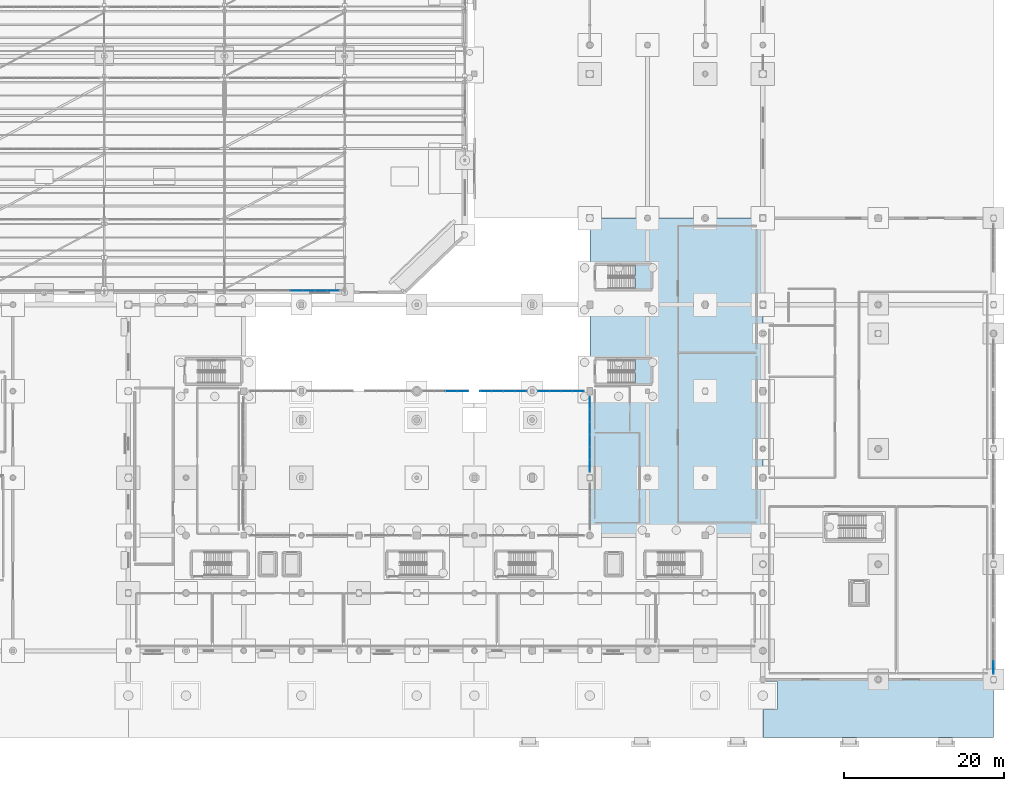
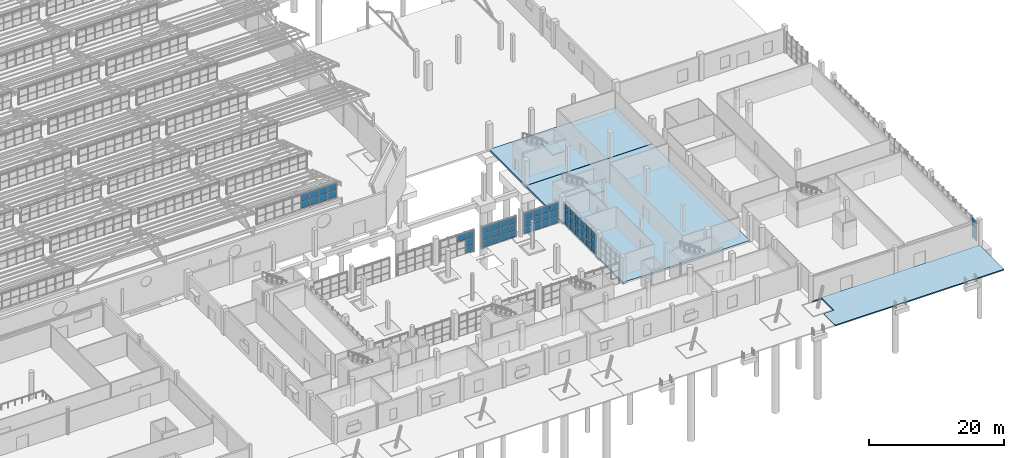
# One storey, part 183 of 285: 57 plates, 5 slabs, 8 elements without a shape of their own.
"""IFC4 building model written with IfcOpenShell, lengths in metres."""

from ifc_helpers import new_model, si_unit, direction, frame, origin, origin_2d, place, context, subcontext, project, spatial, polyline, rectangle, outline, extrude, material, layer, layer_set, type_object, element, aggregate, save


model = new_model("IFC4")

# Units and contexts
model_context = context("Model", 3, precision=1e-05, world=origin(), true_north=direction((0.0, 1.0)))
body_context = subcontext(model_context, "Body", "Model", "MODEL_VIEW")
ifc_project = project(units=[si_unit("LENGTHUNIT", "METRE"), si_unit("AREAUNIT", "SQUARE_METRE"), si_unit("VOLUMEUNIT", "CUBIC_METRE"), si_unit("PLANEANGLEUNIT", "RADIAN"), si_unit("MASSUNIT", "GRAM", prefix="KILO")], contexts=[model_context])

# Site, building, storey
site_placement = place(None, origin())
site = spatial("IfcSite", under=ifc_project, at=site_placement, CompositionType="ELEMENT")
building_placement = place(site_placement, origin())
building = spatial("IfcBuilding", under=site, at=building_placement, Name="Solanera Park Tramway Depot", CompositionType="ELEMENT")
storey_placement = place(building_placement, origin())
storey = spatial("IfcBuildingStorey", under=building, at=storey_placement, Name="L00", CompositionType="ELEMENT", Elevation=0.0)

# Curtain wall, plates
ifc_material_1 = material(Name="Bronze-anodised thermally broken aluminium curtain wall", Category="aluminium")
curtain_wall_type_1 = type_object("IfcCurtainWallType", Name="Sawtooth Clerestory Monitor Curtain Wall", PredefinedType="NOTDEFINED", material=ifc_material_1)
curtain_wall_1_placement = place(storey_placement, origin())
curtain_wall_1 = element("IfcCurtainWall", 1, at=curtain_wall_1_placement, inside=storey, type_object=curtain_wall_type_1, Name="L00 Sawtooth Clerestory Monitor Curtain Wall #003", PredefinedType="NOTDEFINED")
ifc_material_2 = material(Name="Low-E laminated solar-control double glazing", Category="glass")
ifc_layer_1 = layer(ifc_material_2, 0.028076171875)
ifc_layer_set_1 = layer_set([ifc_layer_1], Name="Low-E laminated solar-control double glazing")
plate_type = type_object("IfcPlateType", Name="Curtain Wall Double Glazing Panel 28", PredefinedType="CURTAIN_PANEL", material=ifc_layer_set_1)
plate_1_placement = place(storey_placement, frame((129.022216796875, 55.75, 7.862060546875), z_axis=(0.0, 0.0, 1.0), x_axis=(1.0, 0.0, 0.0)))
plate_1 = element("IfcPlate", 2, at=plate_1_placement, type_object=plate_type, Name="CW-L00-003 Glazing Panel R1.C6", PredefinedType="CURTAIN_PANEL", context=body_context, shape_type="SweptSolid", body=[
    extrude(rectangle(XDim=1.47021484375, YDim=0.028076171875, at=origin_2d()), origin(), (0.0, 0.0, 1.0), 1.16650390625),
])
plate_2_placement = place(storey_placement, frame((130.54443359375, 55.75, 7.862060546875), z_axis=(0.0, 0.0, 1.0), x_axis=(1.0, 0.0, 0.0)))
plate_2 = element("IfcPlate", 3, at=plate_2_placement, type_object=plate_type, Name="CW-L00-003 Glazing Panel R1.C7", PredefinedType="CURTAIN_PANEL", context=body_context, shape_type="SweptSolid", body=[
    extrude(rectangle(XDim=1.47021484375, YDim=0.028076171875, at=origin_2d()), origin(), (0.0, 0.0, 1.0), 1.16650390625),
])
plate_3_placement = place(storey_placement, frame((132.066650390625, 55.75, 7.862060546875), z_axis=(0.0, 0.0, 1.0), x_axis=(1.0, 0.0, 0.0)))
plate_3 = element("IfcPlate", 4, at=plate_3_placement, type_object=plate_type, Name="CW-L00-003 Glazing Panel R1.C8", PredefinedType="CURTAIN_PANEL", context=body_context, shape_type="SweptSolid", body=[
    extrude(rectangle(XDim=1.47021484375, YDim=0.028076171875, at=origin_2d()), origin(), (0.0, 0.0, 1.0), 1.16650390625),
])
plate_4_placement = place(storey_placement, frame((133.572509765625, 55.75, 7.862060546875), z_axis=(0.0, 0.0, 1.0), x_axis=(1.0, 0.0, 0.0)))
plate_4 = element("IfcPlate", 5, at=plate_4_placement, type_object=plate_type, Name="CW-L00-003 Glazing Panel R1.C9", PredefinedType="CURTAIN_PANEL", context=body_context, shape_type="SweptSolid", body=[
    extrude(rectangle(XDim=1.437744140625, YDim=0.028076171875, at=origin_2d()), origin(), (0.0, 0.0, 1.0), 1.16650390625),
])
plate_5_placement = place(storey_placement, frame((129.022216796875, 55.75, 9.132568359375), z_axis=(0.0, 0.0, 1.0), x_axis=(1.0, 0.0, 0.0)))
plate_5 = element("IfcPlate", 6, at=plate_5_placement, type_object=plate_type, Name="CW-L00-003 Glazing Panel R2.C6", PredefinedType="CURTAIN_PANEL", context=body_context, shape_type="SweptSolid", body=[
    extrude(rectangle(XDim=1.47021484375, YDim=0.028076171875, at=origin_2d()), origin(), (0.0, 0.0, 1.0), 1.16650390625),
])
plate_6_placement = place(storey_placement, frame((130.54443359375, 55.75, 9.132568359375), z_axis=(0.0, 0.0, 1.0), x_axis=(1.0, 0.0, 0.0)))
plate_6 = element("IfcPlate", 7, at=plate_6_placement, type_object=plate_type, Name="CW-L00-003 Glazing Panel R2.C7", PredefinedType="CURTAIN_PANEL", context=body_context, shape_type="SweptSolid", body=[
    extrude(rectangle(XDim=1.47021484375, YDim=0.028076171875, at=origin_2d()), origin(), (0.0, 0.0, 1.0), 1.16650390625),
])
plate_7_placement = place(storey_placement, frame((132.066650390625, 55.75, 9.132568359375), z_axis=(0.0, 0.0, 1.0), x_axis=(1.0, 0.0, 0.0)))
plate_7 = element("IfcPlate", 8, at=plate_7_placement, type_object=plate_type, Name="CW-L00-003 Glazing Panel R2.C8", PredefinedType="CURTAIN_PANEL", context=body_context, shape_type="SweptSolid", body=[
    extrude(rectangle(XDim=1.47021484375, YDim=0.028076171875, at=origin_2d()), origin(), (0.0, 0.0, 1.0), 1.16650390625),
])
plate_8_placement = place(storey_placement, frame((133.572509765625, 55.75, 9.132568359375), z_axis=(0.0, 0.0, 1.0), x_axis=(1.0, 0.0, 0.0)))
plate_8 = element("IfcPlate", 9, at=plate_8_placement, type_object=plate_type, Name="CW-L00-003 Glazing Panel R2.C9", PredefinedType="CURTAIN_PANEL", context=body_context, shape_type="SweptSolid", body=[
    extrude(rectangle(XDim=1.437744140625, YDim=0.028076171875, at=origin_2d()), origin(), (0.0, 0.0, 1.0), 1.16650390625),
])
aggregate(curtain_wall_1, [plate_1, plate_2, plate_3, plate_4, plate_5, plate_6, plate_7, plate_8])

ifc_material_3 = material(Name="Bronze-anodised thermally broken aluminium curtain wall", Category="aluminium")
curtain_wall_type_2 = type_object("IfcCurtainWallType", Name="Courtyard Cloister Unitised Curtain Wall", PredefinedType="NOTDEFINED", material=ifc_material_3)
curtain_wall_2_placement = place(storey_placement, origin())
curtain_wall_2 = element("IfcCurtainWall", 10, at=curtain_wall_2_placement, inside=storey, type_object=curtain_wall_type_2, Name="L00 Courtyard Cloister Unitised Curtain Wall #081", PredefinedType="NOTDEFINED")
plate_9_placement = place(storey_placement, frame((149.7587890625, 43.199951171875, 0.11181640625), z_axis=(0.0, 0.0, 1.0), x_axis=(-1.0, 0.0, 0.0)))
plate_9 = element("IfcPlate", 11, at=plate_9_placement, type_object=plate_type, Name="CW-L00-081 Glazing Panel R1.C1", PredefinedType="CURTAIN_PANEL", context=body_context, shape_type="SweptSolid", body=[
    extrude(rectangle(XDim=1.365478515625, YDim=0.028076171875, at=origin_2d()), origin(), (0.0, 0.0, 1.0), 1.119384765625),
])
plate_10_placement = place(storey_placement, frame((149.7587890625, 43.199951171875, 1.33544921875), z_axis=(0.0, 0.0, 1.0), x_axis=(-1.0, 0.0, 0.0)))
plate_10 = element("IfcPlate", 12, at=plate_10_placement, type_object=plate_type, Name="CW-L00-081 Glazing Panel R2.C1", PredefinedType="CURTAIN_PANEL", context=body_context, shape_type="SweptSolid", body=[
    extrude(rectangle(XDim=1.365478515625, YDim=0.028076171875, at=origin_2d()), origin(), (0.0, 0.0, 1.0), 1.179443359375),
])
plate_11_placement = place(storey_placement, frame((149.7587890625, 43.199951171875, 2.61865234375), z_axis=(0.0, 0.0, 1.0), x_axis=(-1.0, 0.0, 0.0)))
plate_11 = element("IfcPlate", 13, at=plate_11_placement, type_object=plate_type, Name="CW-L00-081 Glazing Panel R3.C1", PredefinedType="CURTAIN_PANEL", context=body_context, shape_type="SweptSolid", body=[
    extrude(rectangle(XDim=1.365478515625, YDim=0.028076171875, at=origin_2d()), origin(), (0.0, 0.0, 1.0), 1.119384765625),
])
plate_12_placement = place(storey_placement, frame((148.324951171875, 43.199951171875, 2.61865234375), z_axis=(0.0, 0.0, 1.0), x_axis=(-1.0, 0.0, 0.0)))
plate_12 = element("IfcPlate", 14, at=plate_12_placement, type_object=plate_type, Name="CW-L00-081 Glazing Panel R3.C2", PredefinedType="CURTAIN_PANEL", context=body_context, shape_type="SweptSolid", body=[
    extrude(rectangle(XDim=1.39794921875, YDim=0.028076171875, at=origin_2d()), origin(), (0.0, 0.0, 1.0), 1.119384765625),
])
aggregate(curtain_wall_2, [plate_9, plate_10, plate_11, plate_12])

curtain_wall_3_placement = place(storey_placement, origin())
curtain_wall_3 = element("IfcCurtainWall", 15, at=curtain_wall_3_placement, inside=storey, type_object=curtain_wall_type_2, Name="L00 Courtyard Cloister Unitised Curtain Wall #082", PredefinedType="NOTDEFINED")
plate_13_placement = place(storey_placement, frame((156.958740234375, 43.199951171875, 0.11181640625), z_axis=(0.0, 0.0, 1.0), x_axis=(-1.0, 0.0, 0.0)))
plate_13 = element("IfcPlate", 16, at=plate_13_placement, type_object=plate_type, Name="CW-L00-082 Glazing Panel R1.C1", PredefinedType="CURTAIN_PANEL", context=body_context, shape_type="SweptSolid", body=[
    extrude(rectangle(XDim=1.365478515625, YDim=0.028076171875, at=origin_2d()), origin(), (0.0, 0.0, 1.0), 1.119384765625),
])
plate_14_placement = place(storey_placement, frame((155.52490234375, 43.199951171875, 0.11181640625), z_axis=(0.0, 0.0, 1.0), x_axis=(-1.0, 0.0, 0.0)))
plate_14 = element("IfcPlate", 17, at=plate_14_placement, type_object=plate_type, Name="CW-L00-082 Glazing Panel R1.C2", PredefinedType="CURTAIN_PANEL", context=body_context, shape_type="SweptSolid", body=[
    extrude(rectangle(XDim=1.39794921875, YDim=0.028076171875, at=origin_2d()), origin(), (0.0, 0.0, 1.0), 1.119384765625),
])
plate_15_placement = place(storey_placement, frame((154.074951171875, 43.199951171875, 0.11181640625), z_axis=(0.0, 0.0, 1.0), x_axis=(-1.0, 0.0, 0.0)))
plate_15 = element("IfcPlate", 18, at=plate_15_placement, type_object=plate_type, Name="CW-L00-082 Glazing Panel R1.C3", PredefinedType="CURTAIN_PANEL", context=body_context, shape_type="SweptSolid", body=[
    extrude(rectangle(XDim=1.39794921875, YDim=0.028076171875, at=origin_2d()), origin(), (0.0, 0.0, 1.0), 1.119384765625),
])
plate_16_placement = place(storey_placement, frame((152.641357421875, 43.199951171875, 0.11181640625), z_axis=(0.0, 0.0, 1.0), x_axis=(-1.0, 0.0, 0.0)))
plate_16 = element("IfcPlate", 19, at=plate_16_placement, type_object=plate_type, Name="CW-L00-082 Glazing Panel R1.C4", PredefinedType="CURTAIN_PANEL", context=body_context, shape_type="SweptSolid", body=[
    extrude(rectangle(XDim=1.365478515625, YDim=0.028076171875, at=origin_2d()), origin(), (0.0, 0.0, 1.0), 1.119384765625),
])
plate_17_placement = place(storey_placement, frame((156.958740234375, 43.199951171875, 1.33544921875), z_axis=(0.0, 0.0, 1.0), x_axis=(-1.0, 0.0, 0.0)))
plate_17 = element("IfcPlate", 20, at=plate_17_placement, type_object=plate_type, Name="CW-L00-082 Glazing Panel R2.C1", PredefinedType="CURTAIN_PANEL", context=body_context, shape_type="SweptSolid", body=[
    extrude(rectangle(XDim=1.365478515625, YDim=0.028076171875, at=origin_2d()), origin(), (0.0, 0.0, 1.0), 1.179443359375),
])
plate_18_placement = place(storey_placement, frame((155.52490234375, 43.199951171875, 1.33544921875), z_axis=(0.0, 0.0, 1.0), x_axis=(-1.0, 0.0, 0.0)))
plate_18 = element("IfcPlate", 21, at=plate_18_placement, type_object=plate_type, Name="CW-L00-082 Glazing Panel R2.C2", PredefinedType="CURTAIN_PANEL", context=body_context, shape_type="SweptSolid", body=[
    extrude(rectangle(XDim=1.39794921875, YDim=0.028076171875, at=origin_2d()), origin(), (0.0, 0.0, 1.0), 1.179443359375),
])
plate_19_placement = place(storey_placement, frame((154.074951171875, 43.199951171875, 1.33544921875), z_axis=(0.0, 0.0, 1.0), x_axis=(-1.0, 0.0, 0.0)))
plate_19 = element("IfcPlate", 22, at=plate_19_placement, type_object=plate_type, Name="CW-L00-082 Glazing Panel R2.C3", PredefinedType="CURTAIN_PANEL", context=body_context, shape_type="SweptSolid", body=[
    extrude(rectangle(XDim=1.39794921875, YDim=0.028076171875, at=origin_2d()), origin(), (0.0, 0.0, 1.0), 1.179443359375),
])
plate_20_placement = place(storey_placement, frame((152.641357421875, 43.199951171875, 1.33544921875), z_axis=(0.0, 0.0, 1.0), x_axis=(-1.0, 0.0, 0.0)))
plate_20 = element("IfcPlate", 23, at=plate_20_placement, type_object=plate_type, Name="CW-L00-082 Glazing Panel R2.C4", PredefinedType="CURTAIN_PANEL", context=body_context, shape_type="SweptSolid", body=[
    extrude(rectangle(XDim=1.365478515625, YDim=0.028076171875, at=origin_2d()), origin(), (0.0, 0.0, 1.0), 1.179443359375),
])
plate_21_placement = place(storey_placement, frame((156.958740234375, 43.199951171875, 2.61865234375), z_axis=(0.0, 0.0, 1.0), x_axis=(-1.0, 0.0, 0.0)))
plate_21 = element("IfcPlate", 24, at=plate_21_placement, type_object=plate_type, Name="CW-L00-082 Glazing Panel R3.C1", PredefinedType="CURTAIN_PANEL", context=body_context, shape_type="SweptSolid", body=[
    extrude(rectangle(XDim=1.365478515625, YDim=0.028076171875, at=origin_2d()), origin(), (0.0, 0.0, 1.0), 1.119384765625),
])
plate_22_placement = place(storey_placement, frame((155.52490234375, 43.199951171875, 2.61865234375), z_axis=(0.0, 0.0, 1.0), x_axis=(-1.0, 0.0, 0.0)))
plate_22 = element("IfcPlate", 25, at=plate_22_placement, type_object=plate_type, Name="CW-L00-082 Glazing Panel R3.C2", PredefinedType="CURTAIN_PANEL", context=body_context, shape_type="SweptSolid", body=[
    extrude(rectangle(XDim=1.39794921875, YDim=0.028076171875, at=origin_2d()), origin(), (0.0, 0.0, 1.0), 1.119384765625),
])
plate_23_placement = place(storey_placement, frame((154.074951171875, 43.199951171875, 2.61865234375), z_axis=(0.0, 0.0, 1.0), x_axis=(-1.0, 0.0, 0.0)))
plate_23 = element("IfcPlate", 26, at=plate_23_placement, type_object=plate_type, Name="CW-L00-082 Glazing Panel R3.C3", PredefinedType="CURTAIN_PANEL", context=body_context, shape_type="SweptSolid", body=[
    extrude(rectangle(XDim=1.39794921875, YDim=0.028076171875, at=origin_2d()), origin(), (0.0, 0.0, 1.0), 1.119384765625),
])
plate_24_placement = place(storey_placement, frame((152.641357421875, 43.199951171875, 2.61865234375), z_axis=(0.0, 0.0, 1.0), x_axis=(-1.0, 0.0, 0.0)))
plate_24 = element("IfcPlate", 27, at=plate_24_placement, type_object=plate_type, Name="CW-L00-082 Glazing Panel R3.C4", PredefinedType="CURTAIN_PANEL", context=body_context, shape_type="SweptSolid", body=[
    extrude(rectangle(XDim=1.365478515625, YDim=0.028076171875, at=origin_2d()), origin(), (0.0, 0.0, 1.0), 1.119384765625),
])
aggregate(curtain_wall_3, [plate_13, plate_14, plate_15, plate_16, plate_17, plate_18, plate_19, plate_20, plate_21, plate_22, plate_23, plate_24])

curtain_wall_4_placement = place(storey_placement, origin())
curtain_wall_4 = element("IfcCurtainWall", 28, at=curtain_wall_4_placement, inside=storey, type_object=curtain_wall_type_2, Name="L00 Courtyard Cloister Unitised Curtain Wall #083", PredefinedType="NOTDEFINED")
plate_25_placement = place(storey_placement, frame((164.15869140625, 43.199951171875, 0.11181640625), z_axis=(0.0, 0.0, 1.0), x_axis=(-1.0, 0.0, 0.0)))
plate_25 = element("IfcPlate", 29, at=plate_25_placement, type_object=plate_type, Name="CW-L00-083 Glazing Panel R1.C1", PredefinedType="CURTAIN_PANEL", context=body_context, shape_type="SweptSolid", body=[
    extrude(rectangle(XDim=1.365478515625, YDim=0.028076171875, at=origin_2d()), origin(), (0.0, 0.0, 1.0), 1.119384765625),
])
plate_26_placement = place(storey_placement, frame((162.72509765625, 43.199951171875, 0.11181640625), z_axis=(0.0, 0.0, 1.0), x_axis=(-1.0, 0.0, 0.0)))
plate_26 = element("IfcPlate", 30, at=plate_26_placement, type_object=plate_type, Name="CW-L00-083 Glazing Panel R1.C2", PredefinedType="CURTAIN_PANEL", context=body_context, shape_type="SweptSolid", body=[
    extrude(rectangle(XDim=1.39794921875, YDim=0.028076171875, at=origin_2d()), origin(), (0.0, 0.0, 1.0), 1.119384765625),
])
plate_27_placement = place(storey_placement, frame((161.27490234375, 43.199951171875, 0.11181640625), z_axis=(0.0, 0.0, 1.0), x_axis=(-1.0, 0.0, 0.0)))
plate_27 = element("IfcPlate", 31, at=plate_27_placement, type_object=plate_type, Name="CW-L00-083 Glazing Panel R1.C3", PredefinedType="CURTAIN_PANEL", context=body_context, shape_type="SweptSolid", body=[
    extrude(rectangle(XDim=1.39794921875, YDim=0.028076171875, at=origin_2d()), origin(), (0.0, 0.0, 1.0), 1.119384765625),
])
plate_28_placement = place(storey_placement, frame((159.84130859375, 43.199951171875, 0.11181640625), z_axis=(0.0, 0.0, 1.0), x_axis=(-1.0, 0.0, 0.0)))
plate_28 = element("IfcPlate", 32, at=plate_28_placement, type_object=plate_type, Name="CW-L00-083 Glazing Panel R1.C4", PredefinedType="CURTAIN_PANEL", context=body_context, shape_type="SweptSolid", body=[
    extrude(rectangle(XDim=1.365478515625, YDim=0.028076171875, at=origin_2d()), origin(), (0.0, 0.0, 1.0), 1.119384765625),
])
plate_29_placement = place(storey_placement, frame((164.15869140625, 43.199951171875, 1.33544921875), z_axis=(0.0, 0.0, 1.0), x_axis=(-1.0, 0.0, 0.0)))
plate_29 = element("IfcPlate", 33, at=plate_29_placement, type_object=plate_type, Name="CW-L00-083 Glazing Panel R2.C1", PredefinedType="CURTAIN_PANEL", context=body_context, shape_type="SweptSolid", body=[
    extrude(rectangle(XDim=1.365478515625, YDim=0.028076171875, at=origin_2d()), origin(), (0.0, 0.0, 1.0), 1.179443359375),
])
plate_30_placement = place(storey_placement, frame((162.72509765625, 43.199951171875, 1.33544921875), z_axis=(0.0, 0.0, 1.0), x_axis=(-1.0, 0.0, 0.0)))
plate_30 = element("IfcPlate", 34, at=plate_30_placement, type_object=plate_type, Name="CW-L00-083 Glazing Panel R2.C2", PredefinedType="CURTAIN_PANEL", context=body_context, shape_type="SweptSolid", body=[
    extrude(rectangle(XDim=1.39794921875, YDim=0.028076171875, at=origin_2d()), origin(), (0.0, 0.0, 1.0), 1.179443359375),
])
plate_31_placement = place(storey_placement, frame((161.27490234375, 43.199951171875, 1.33544921875), z_axis=(0.0, 0.0, 1.0), x_axis=(-1.0, 0.0, 0.0)))
plate_31 = element("IfcPlate", 35, at=plate_31_placement, type_object=plate_type, Name="CW-L00-083 Glazing Panel R2.C3", PredefinedType="CURTAIN_PANEL", context=body_context, shape_type="SweptSolid", body=[
    extrude(rectangle(XDim=1.39794921875, YDim=0.028076171875, at=origin_2d()), origin(), (0.0, 0.0, 1.0), 1.179443359375),
])
plate_32_placement = place(storey_placement, frame((159.84130859375, 43.199951171875, 1.33544921875), z_axis=(0.0, 0.0, 1.0), x_axis=(-1.0, 0.0, 0.0)))
plate_32 = element("IfcPlate", 36, at=plate_32_placement, type_object=plate_type, Name="CW-L00-083 Glazing Panel R2.C4", PredefinedType="CURTAIN_PANEL", context=body_context, shape_type="SweptSolid", body=[
    extrude(rectangle(XDim=1.365478515625, YDim=0.028076171875, at=origin_2d()), origin(), (0.0, 0.0, 1.0), 1.179443359375),
])
plate_33_placement = place(storey_placement, frame((164.15869140625, 43.199951171875, 2.61865234375), z_axis=(0.0, 0.0, 1.0), x_axis=(-1.0, 0.0, 0.0)))
plate_33 = element("IfcPlate", 37, at=plate_33_placement, type_object=plate_type, Name="CW-L00-083 Glazing Panel R3.C1", PredefinedType="CURTAIN_PANEL", context=body_context, shape_type="SweptSolid", body=[
    extrude(rectangle(XDim=1.365478515625, YDim=0.028076171875, at=origin_2d()), origin(), (0.0, 0.0, 1.0), 1.119384765625),
])
plate_34_placement = place(storey_placement, frame((162.72509765625, 43.199951171875, 2.61865234375), z_axis=(0.0, 0.0, 1.0), x_axis=(-1.0, 0.0, 0.0)))
plate_34 = element("IfcPlate", 38, at=plate_34_placement, type_object=plate_type, Name="CW-L00-083 Glazing Panel R3.C2", PredefinedType="CURTAIN_PANEL", context=body_context, shape_type="SweptSolid", body=[
    extrude(rectangle(XDim=1.39794921875, YDim=0.028076171875, at=origin_2d()), origin(), (0.0, 0.0, 1.0), 1.119384765625),
])
plate_35_placement = place(storey_placement, frame((161.27490234375, 43.199951171875, 2.61865234375), z_axis=(0.0, 0.0, 1.0), x_axis=(-1.0, 0.0, 0.0)))
plate_35 = element("IfcPlate", 39, at=plate_35_placement, type_object=plate_type, Name="CW-L00-083 Glazing Panel R3.C3", PredefinedType="CURTAIN_PANEL", context=body_context, shape_type="SweptSolid", body=[
    extrude(rectangle(XDim=1.39794921875, YDim=0.028076171875, at=origin_2d()), origin(), (0.0, 0.0, 1.0), 1.119384765625),
])
plate_36_placement = place(storey_placement, frame((159.84130859375, 43.199951171875, 2.61865234375), z_axis=(0.0, 0.0, 1.0), x_axis=(-1.0, 0.0, 0.0)))
plate_36 = element("IfcPlate", 40, at=plate_36_placement, type_object=plate_type, Name="CW-L00-083 Glazing Panel R3.C4", PredefinedType="CURTAIN_PANEL", context=body_context, shape_type="SweptSolid", body=[
    extrude(rectangle(XDim=1.365478515625, YDim=0.028076171875, at=origin_2d()), origin(), (0.0, 0.0, 1.0), 1.119384765625),
])
aggregate(curtain_wall_4, [plate_25, plate_26, plate_27, plate_28, plate_29, plate_30, plate_31, plate_32, plate_33, plate_34, plate_35, plate_36])

curtain_wall_5_placement = place(storey_placement, origin())
curtain_wall_5 = element("IfcCurtainWall", 41, at=curtain_wall_5_placement, inside=storey, type_object=curtain_wall_type_2, Name="L00 Courtyard Cloister Unitised Curtain Wall #087", PredefinedType="NOTDEFINED")
plate_37_placement = place(storey_placement, frame((165.60009765625, 41.700439453125, 0.11181640625), z_axis=(0.0, 0.0, 1.0), x_axis=(0.0, -1.0, 0.0)))
plate_37 = element("IfcPlate", 42, at=plate_37_placement, type_object=plate_type, Name="CW-L00-087 Glazing Panel R1.C1", PredefinedType="CURTAIN_PANEL", context=body_context, shape_type="SweptSolid", body=[
    extrude(rectangle(XDim=1.482177734375, YDim=0.028076171875, at=origin_2d()), origin(), (0.0, 0.0, 1.0), 1.119384765625),
])
plate_38_placement = place(storey_placement, frame((165.60009765625, 40.14990234375, 0.11181640625), z_axis=(0.0, 0.0, 1.0), x_axis=(0.0, -1.0, 0.0)))
plate_38 = element("IfcPlate", 43, at=plate_38_placement, type_object=plate_type, Name="CW-L00-087 Glazing Panel R1.C2", PredefinedType="CURTAIN_PANEL", context=body_context, shape_type="SweptSolid", body=[
    extrude(rectangle(XDim=1.5146484375, YDim=0.028076171875, at=origin_2d()), origin(), (0.0, 0.0, 1.0), 1.119384765625),
])
plate_39_placement = place(storey_placement, frame((165.60009765625, 38.583251953125, 0.11181640625), z_axis=(0.0, 0.0, 1.0), x_axis=(0.0, -1.0, 0.0)))
plate_39 = element("IfcPlate", 44, at=plate_39_placement, type_object=plate_type, Name="CW-L00-087 Glazing Panel R1.C3", PredefinedType="CURTAIN_PANEL", context=body_context, shape_type="SweptSolid", body=[
    extrude(rectangle(XDim=1.5146484375, YDim=0.028076171875, at=origin_2d()), origin(), (0.0, 0.0, 1.0), 1.119384765625),
])
plate_40_placement = place(storey_placement, frame((165.60009765625, 37.0166015625, 0.11181640625), z_axis=(0.0, 0.0, 1.0), x_axis=(0.0, -1.0, 0.0)))
plate_40 = element("IfcPlate", 45, at=plate_40_placement, type_object=plate_type, Name="CW-L00-087 Glazing Panel R1.C4", PredefinedType="CURTAIN_PANEL", context=body_context, shape_type="SweptSolid", body=[
    extrude(rectangle(XDim=1.5146484375, YDim=0.028076171875, at=origin_2d()), origin(), (0.0, 0.0, 1.0), 1.119384765625),
])
plate_41_placement = place(storey_placement, frame((165.60009765625, 35.449951171875, 0.11181640625), z_axis=(0.0, 0.0, 1.0), x_axis=(0.0, -1.0, 0.0)))
plate_41 = element("IfcPlate", 46, at=plate_41_placement, type_object=plate_type, Name="CW-L00-087 Glazing Panel R1.C5", PredefinedType="CURTAIN_PANEL", context=body_context, shape_type="SweptSolid", body=[
    extrude(rectangle(XDim=1.5146484375, YDim=0.028076171875, at=origin_2d()), origin(), (0.0, 0.0, 1.0), 1.119384765625),
])
plate_42_placement = place(storey_placement, frame((165.60009765625, 33.899658203125, 0.11181640625), z_axis=(0.0, 0.0, 1.0), x_axis=(0.0, -1.0, 0.0)))
plate_42 = element("IfcPlate", 47, at=plate_42_placement, type_object=plate_type, Name="CW-L00-087 Glazing Panel R1.C6", PredefinedType="CURTAIN_PANEL", context=body_context, shape_type="SweptSolid", body=[
    extrude(rectangle(XDim=1.482177734375, YDim=0.028076171875, at=origin_2d()), origin(), (0.0, 0.0, 1.0), 1.119384765625),
])
plate_43_placement = place(storey_placement, frame((165.60009765625, 41.700439453125, 1.33544921875), z_axis=(0.0, 0.0, 1.0), x_axis=(0.0, -1.0, 0.0)))
plate_43 = element("IfcPlate", 48, at=plate_43_placement, type_object=plate_type, Name="CW-L00-087 Glazing Panel R2.C1", PredefinedType="CURTAIN_PANEL", context=body_context, shape_type="SweptSolid", body=[
    extrude(rectangle(XDim=1.482177734375, YDim=0.028076171875, at=origin_2d()), origin(), (0.0, 0.0, 1.0), 1.179443359375),
])
plate_44_placement = place(storey_placement, frame((165.60009765625, 40.14990234375, 1.33544921875), z_axis=(0.0, 0.0, 1.0), x_axis=(0.0, -1.0, 0.0)))
plate_44 = element("IfcPlate", 49, at=plate_44_placement, type_object=plate_type, Name="CW-L00-087 Glazing Panel R2.C2", PredefinedType="CURTAIN_PANEL", context=body_context, shape_type="SweptSolid", body=[
    extrude(rectangle(XDim=1.5146484375, YDim=0.028076171875, at=origin_2d()), origin(), (0.0, 0.0, 1.0), 1.179443359375),
])
plate_45_placement = place(storey_placement, frame((165.60009765625, 38.583251953125, 1.33544921875), z_axis=(0.0, 0.0, 1.0), x_axis=(0.0, -1.0, 0.0)))
plate_45 = element("IfcPlate", 50, at=plate_45_placement, type_object=plate_type, Name="CW-L00-087 Glazing Panel R2.C3", PredefinedType="CURTAIN_PANEL", context=body_context, shape_type="SweptSolid", body=[
    extrude(rectangle(XDim=1.5146484375, YDim=0.028076171875, at=origin_2d()), origin(), (0.0, 0.0, 1.0), 1.179443359375),
])
plate_46_placement = place(storey_placement, frame((165.60009765625, 37.0166015625, 1.33544921875), z_axis=(0.0, 0.0, 1.0), x_axis=(0.0, -1.0, 0.0)))
plate_46 = element("IfcPlate", 51, at=plate_46_placement, type_object=plate_type, Name="CW-L00-087 Glazing Panel R2.C4", PredefinedType="CURTAIN_PANEL", context=body_context, shape_type="SweptSolid", body=[
    extrude(rectangle(XDim=1.5146484375, YDim=0.028076171875, at=origin_2d()), origin(), (0.0, 0.0, 1.0), 1.179443359375),
])
plate_47_placement = place(storey_placement, frame((165.60009765625, 35.449951171875, 1.33544921875), z_axis=(0.0, 0.0, 1.0), x_axis=(0.0, -1.0, 0.0)))
plate_47 = element("IfcPlate", 52, at=plate_47_placement, type_object=plate_type, Name="CW-L00-087 Glazing Panel R2.C5", PredefinedType="CURTAIN_PANEL", context=body_context, shape_type="SweptSolid", body=[
    extrude(rectangle(XDim=1.5146484375, YDim=0.028076171875, at=origin_2d()), origin(), (0.0, 0.0, 1.0), 1.179443359375),
])
plate_48_placement = place(storey_placement, frame((165.60009765625, 33.899658203125, 1.33544921875), z_axis=(0.0, 0.0, 1.0), x_axis=(0.0, -1.0, 0.0)))
plate_48 = element("IfcPlate", 53, at=plate_48_placement, type_object=plate_type, Name="CW-L00-087 Glazing Panel R2.C6", PredefinedType="CURTAIN_PANEL", context=body_context, shape_type="SweptSolid", body=[
    extrude(rectangle(XDim=1.482177734375, YDim=0.028076171875, at=origin_2d()), origin(), (0.0, 0.0, 1.0), 1.179443359375),
])
plate_49_placement = place(storey_placement, frame((165.60009765625, 41.700439453125, 2.61865234375), z_axis=(0.0, 0.0, 1.0), x_axis=(0.0, -1.0, 0.0)))
plate_49 = element("IfcPlate", 54, at=plate_49_placement, type_object=plate_type, Name="CW-L00-087 Glazing Panel R3.C1", PredefinedType="CURTAIN_PANEL", context=body_context, shape_type="SweptSolid", body=[
    extrude(rectangle(XDim=1.482177734375, YDim=0.028076171875, at=origin_2d()), origin(), (0.0, 0.0, 1.0), 1.119384765625),
])
plate_50_placement = place(storey_placement, frame((165.60009765625, 40.14990234375, 2.61865234375), z_axis=(0.0, 0.0, 1.0), x_axis=(0.0, -1.0, 0.0)))
plate_50 = element("IfcPlate", 55, at=plate_50_placement, type_object=plate_type, Name="CW-L00-087 Glazing Panel R3.C2", PredefinedType="CURTAIN_PANEL", context=body_context, shape_type="SweptSolid", body=[
    extrude(rectangle(XDim=1.5146484375, YDim=0.028076171875, at=origin_2d()), origin(), (0.0, 0.0, 1.0), 1.119384765625),
])
plate_51_placement = place(storey_placement, frame((165.60009765625, 38.583251953125, 2.61865234375), z_axis=(0.0, 0.0, 1.0), x_axis=(0.0, -1.0, 0.0)))
plate_51 = element("IfcPlate", 56, at=plate_51_placement, type_object=plate_type, Name="CW-L00-087 Glazing Panel R3.C3", PredefinedType="CURTAIN_PANEL", context=body_context, shape_type="SweptSolid", body=[
    extrude(rectangle(XDim=1.5146484375, YDim=0.028076171875, at=origin_2d()), origin(), (0.0, 0.0, 1.0), 1.119384765625),
])
plate_52_placement = place(storey_placement, frame((165.60009765625, 37.0166015625, 2.61865234375), z_axis=(0.0, 0.0, 1.0), x_axis=(0.0, -1.0, 0.0)))
plate_52 = element("IfcPlate", 57, at=plate_52_placement, type_object=plate_type, Name="CW-L00-087 Glazing Panel R3.C4", PredefinedType="CURTAIN_PANEL", context=body_context, shape_type="SweptSolid", body=[
    extrude(rectangle(XDim=1.5146484375, YDim=0.028076171875, at=origin_2d()), origin(), (0.0, 0.0, 1.0), 1.119384765625),
])
plate_53_placement = place(storey_placement, frame((165.60009765625, 35.449951171875, 2.61865234375), z_axis=(0.0, 0.0, 1.0), x_axis=(0.0, -1.0, 0.0)))
plate_53 = element("IfcPlate", 58, at=plate_53_placement, type_object=plate_type, Name="CW-L00-087 Glazing Panel R3.C5", PredefinedType="CURTAIN_PANEL", context=body_context, shape_type="SweptSolid", body=[
    extrude(rectangle(XDim=1.5146484375, YDim=0.028076171875, at=origin_2d()), origin(), (0.0, 0.0, 1.0), 1.119384765625),
])
plate_54_placement = place(storey_placement, frame((165.60009765625, 33.899658203125, 2.61865234375), z_axis=(0.0, 0.0, 1.0), x_axis=(0.0, -1.0, 0.0)))
plate_54 = element("IfcPlate", 59, at=plate_54_placement, type_object=plate_type, Name="CW-L00-087 Glazing Panel R3.C6", PredefinedType="CURTAIN_PANEL", context=body_context, shape_type="SweptSolid", body=[
    extrude(rectangle(XDim=1.482177734375, YDim=0.028076171875, at=origin_2d()), origin(), (0.0, 0.0, 1.0), 1.119384765625),
])
aggregate(curtain_wall_5, [plate_37, plate_38, plate_39, plate_40, plate_41, plate_42, plate_43, plate_44, plate_45, plate_46, plate_47, plate_48, plate_49, plate_50, plate_51, plate_52, plate_53, plate_54])

ifc_material_4 = material(Name="Bronze-anodised thermally broken aluminium curtain wall", Category="aluminium")
curtain_wall_type_3 = type_object("IfcCurtainWallType", Name="Parkfront Loggia Curtain Wall", PredefinedType="NOTDEFINED", material=ifc_material_4)
curtain_wall_6_placement = place(storey_placement, origin())
curtain_wall_6 = element("IfcCurtainWall", 60, at=curtain_wall_6_placement, inside=storey, type_object=curtain_wall_type_3, Name="L00 Parkfront Loggia Curtain Wall #126", PredefinedType="NOTDEFINED")
plate_55_placement = place(storey_placement, frame((216.0, 8.71630859375, 0.11181640625), z_axis=(0.0, 0.0, 1.0), x_axis=(0.0, 1.0, 0.0)))
plate_55 = element("IfcPlate", 61, at=plate_55_placement, type_object=plate_type, Name="CW-L00-126 Glazing Panel R1.C1", PredefinedType="CURTAIN_PANEL", context=body_context, shape_type="SweptSolid", body=[
    extrude(rectangle(XDim=1.515380859375, YDim=0.028076171875, at=origin_2d()), origin(), (0.0, 0.0, 1.0), 1.119384765625),
])
plate_56_placement = place(storey_placement, frame((216.0, 8.71630859375, 1.33544921875), z_axis=(0.0, 0.0, 1.0), x_axis=(0.0, 1.0, 0.0)))
plate_56 = element("IfcPlate", 62, at=plate_56_placement, type_object=plate_type, Name="CW-L00-126 Glazing Panel R2.C1", PredefinedType="CURTAIN_PANEL", context=body_context, shape_type="SweptSolid", body=[
    extrude(rectangle(XDim=1.515380859375, YDim=0.028076171875, at=origin_2d()), origin(), (0.0, 0.0, 1.0), 1.179443359375),
])
plate_57_placement = place(storey_placement, frame((216.0, 8.71630859375, 2.61865234375), z_axis=(0.0, 0.0, 1.0), x_axis=(0.0, 1.0, 0.0)))
plate_57 = element("IfcPlate", 63, at=plate_57_placement, type_object=plate_type, Name="CW-L00-126 Glazing Panel R3.C1", PredefinedType="CURTAIN_PANEL", context=body_context, shape_type="SweptSolid", body=[
    extrude(rectangle(XDim=1.515380859375, YDim=0.028076171875, at=origin_2d()), origin(), (0.0, 0.0, 1.0), 1.119384765625),
])
aggregate(curtain_wall_6, [plate_55, plate_56, plate_57])

# Slabs
ifc_material_5 = material(Name="Concrete N40 (C40/50)", Category="concrete")
ifc_layer_2 = layer(ifc_material_5, 0.35009765625)
ifc_layer_set_2 = layer_set([ifc_layer_2], Name="Concrete N40 (C40/50)")
slab_type_1 = type_object("IfcSlabType", Name="Slab Base 350", PredefinedType="BASESLAB", material=ifc_layer_set_2)
slab_1_placement = place(storey_placement, frame((0.0, 0.0, -0.35009765625)))
element("IfcSlab", 64, at=slab_1_placement, inside=storey, type_object=slab_type_1, Name="L00 Structural Slab SL-L00-V4ES", PredefinedType="BASESLAB", context=body_context, shape_type="SweptSolid", body=[
    extrude(outline(polyline([(187.199951171875, 25.199951171875), (187.199951171875, 53.949951171875), (165.60009765625, 53.949951171875), (165.60009765625, 25.199951171875), (187.199951171875, 25.199951171875)])), origin(), (0.0, 0.0, 1.0), 0.35009765625),
])
slab_2_placement = place(storey_placement, frame((0.0, 0.0, -0.35009765625)))
element("IfcSlab", 65, at=slab_2_placement, inside=storey, type_object=slab_type_1, Name="L00 Structural Slab SL-L00-V4EN", PredefinedType="BASESLAB", context=body_context, shape_type="SweptSolid", body=[
    extrude(outline(polyline([(187.199951171875, 54.0), (187.199951171875, 64.800048828125), (165.60009765625, 64.800048828125), (165.60009765625, 54.0), (187.199951171875, 54.0)])), origin(), (0.0, 0.0, 1.0), 0.35009765625),
])
ifc_material_6 = material(Name="Concrete N40 (C40/50)", Category="concrete")
ifc_layer_3 = layer(ifc_material_6, 0.199951171875)
ifc_layer_set_3 = layer_set([ifc_layer_3], Name="Concrete N40 (C40/50)")
slab_type_2 = type_object("IfcSlabType", Name="Slab Ext 200", PredefinedType="FLOOR", material=ifc_layer_set_3)
slab_3_placement = place(storey_placement, frame((0.0, 0.0, -0.199951171875)))
element("IfcSlab", 66, at=slab_3_placement, inside=storey, type_object=slab_type_2, Name="South-East Park Entry Plaza", PredefinedType="FLOOR", context=body_context, shape_type="SweptSolid", body=[
    extrude(outline(polyline([(187.199951171875, 7.199951171875), (216.0, 7.199951171875), (216.0, 0.0), (187.199951171875, 0.0), (187.199951171875, 3.457275390625), (188.949951171875, 3.457275390625), (188.949951171875, 6.957275390625), (187.199951171875, 6.957275390625), (187.199951171875, 7.199951171875)])), origin(), (0.0, 0.0, 1.0), 0.199951171875),
])

# Stair, slab
ifc_material_7 = material(Name="Concrete N40 (C40/50)", Category="concrete")
stair_type = type_object("IfcStairType", Name="Stair Half-Turn Dogleg 4800", PredefinedType="HALF_TURN_STAIR", material=ifc_material_7)
stair_1_placement = place(storey_placement, origin())
stair_1 = element("IfcStair", 67, at=stair_1_placement, inside=storey, type_object=stair_type, Name="ST-05 L00 Half-Turn Stair", PredefinedType="HALF_TURN_STAIR")
ifc_material_8 = material(Name="Concrete N40 (C40/50)", Category="concrete")
ifc_layer_4 = layer(ifc_material_8, 0.199951171875)
ifc_layer_set_4 = layer_set([ifc_layer_4], Name="Concrete N40 (C40/50)")
slab_type_3 = type_object("IfcSlabType", Name="Slab Stair Landing 200", PredefinedType="LANDING", material=ifc_layer_set_4)
slab_4_placement = place(storey_placement, frame((0.0, 0.0, 2.199951171875)))
slab_4 = element("IfcSlab", 68, at=slab_4_placement, type_object=slab_type_3, Name="ST-05 L00 Half-Landing 1", PredefinedType="LANDING", context=body_context, shape_type="SweptSolid", body=[
    extrude(outline(polyline([(171.260009765625, 44.080078125), (173.320068359375, 44.080078125), (173.320068359375, 47.219970703125), (171.260009765625, 47.219970703125), (171.260009765625, 44.080078125)])), origin(), (0.0, 0.0, 1.0), 0.199951171875),
])
aggregate(stair_1, [slab_4])

stair_2_placement = place(storey_placement, origin())
stair_2 = element("IfcStair", 69, at=stair_2_placement, inside=storey, type_object=stair_type, Name="ST-06 L00 Half-Turn Stair", PredefinedType="HALF_TURN_STAIR")
slab_5_placement = place(storey_placement, frame((0.0, 0.0, 2.199951171875)))
slab_5 = element("IfcSlab", 70, at=slab_5_placement, type_object=slab_type_3, Name="ST-06 L00 Half-Landing 1", PredefinedType="LANDING", context=body_context, shape_type="SweptSolid", body=[
    extrude(outline(polyline([(171.260009765625, 55.8798828125), (173.320068359375, 55.8798828125), (173.320068359375, 59.02001953125), (171.260009765625, 59.02001953125), (171.260009765625, 55.8798828125)])), origin(), (0.0, 0.0, 1.0), 0.199951171875),
])
aggregate(stair_2, [slab_5])

save(model, "model.ifc")
